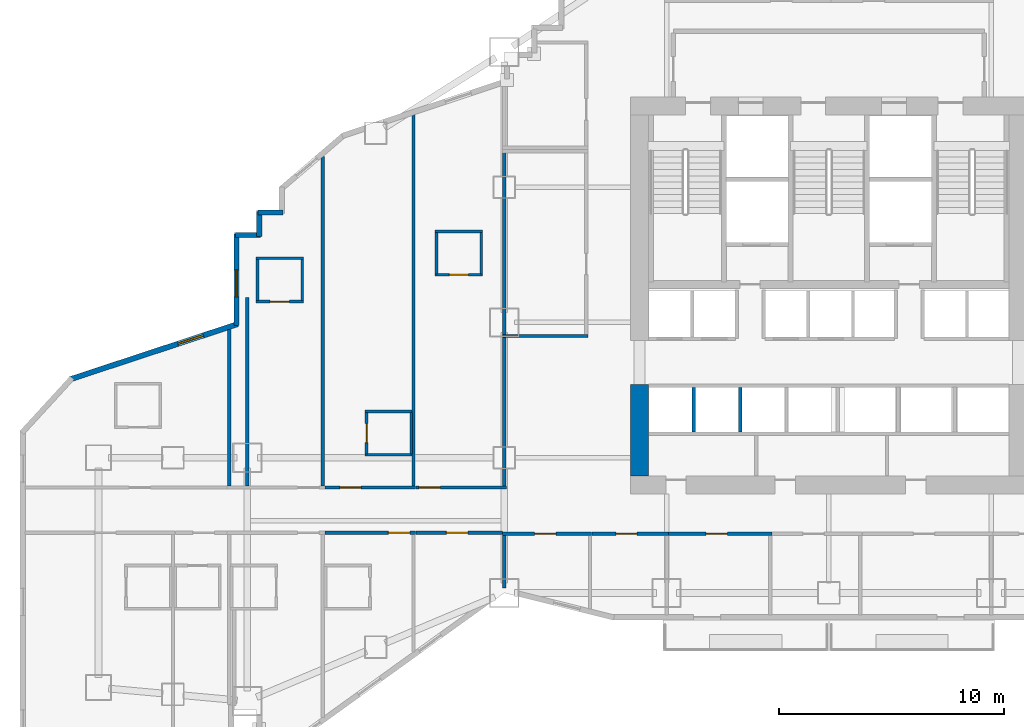
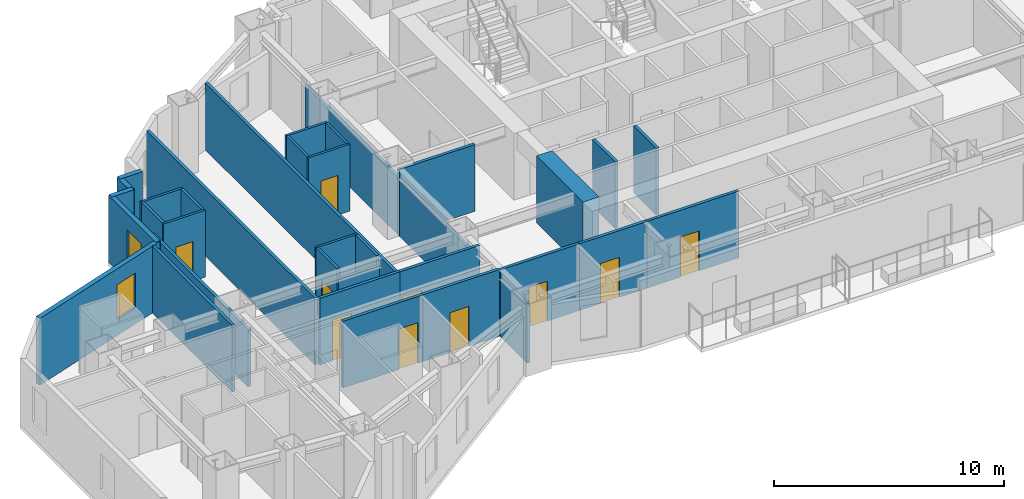
# One storey, part 8 of 19: 35 walls, 10 doors, 2 windows, 12 openings.
"""IFC4 building model written with IfcOpenShell, lengths in metres."""

from ifc_helpers import new_model, si_unit, direction, frame, frame_2d, origin, place, context, subcontext, project, spatial, rectangle, extrude, material, layer, layer_set, type_object, element, fill, save


model = new_model("IFC4")

# Units and contexts
model_context = context("Model", 3, precision=1e-05, world=origin(), true_north=direction((0.0, 1.0)))
body_context = subcontext(model_context, "Body", "Model", "MODEL_VIEW")
ifc_project = project(units=[si_unit("LENGTHUNIT", "METRE"), si_unit("AREAUNIT", "SQUARE_METRE"), si_unit("VOLUMEUNIT", "CUBIC_METRE"), si_unit("PLANEANGLEUNIT", "RADIAN"), si_unit("MASSUNIT", "GRAM", prefix="KILO")], contexts=[model_context])

# Site, building, storey
site_placement = place(None, origin())
site = spatial("IfcSite", under=ifc_project, at=site_placement, CompositionType="ELEMENT")
building_placement = place(site_placement, origin())
building = spatial("IfcBuilding", under=site, at=building_placement, Name="Haolan Belvedere Tower", CompositionType="ELEMENT")
storey_placement = place(building_placement, frame((0.0, 0.0, 39.199951171875)))
storey = spatial("IfcBuildingStorey", under=building, at=storey_placement, Name="L09", CompositionType="ELEMENT", Elevation=39.199951171875)

# Walls
ifc_material_1 = material(Name="Concrete C70/85", Category="concrete")
ifc_layer_1 = layer(ifc_material_1, 0.800048828125, Name="Concrete C70/85")
ifc_layer_set_1 = layer_set([ifc_layer_1], Name="Concrete C70/85")
wall_type_1 = type_object("IfcWallType", Name="WL-CORE-800", PredefinedType="SHEAR", material=ifc_layer_set_1)
wall_1_placement = place(storey_placement, frame((30.0, 26.800048828125, 0.0), z_axis=(0.0, 0.0, 1.0), x_axis=(0.0, 1.0, 0.0)))
element("IfcWall", 1, at=wall_1_placement, inside=storey, type_object=wall_type_1, Name="L09 central core shear wall WS", PredefinedType="SHEAR", context=body_context, shape_type="SweptSolid", body=[
    extrude(rectangle(XDim=4.050048828125, YDim=0.800048828125, at=frame_2d((2.02490234375, 0.0))), origin(), (0.0, 0.0, 1.0), 3.5400390625),
])
ifc_material_2 = material(Name="Precast concrete C40/50", Category="concrete")
ifc_layer_2 = layer(ifc_material_2, 0.239990234375, Name="Precast concrete C40/50")
ifc_layer_set_2 = layer_set([ifc_layer_2], Name="Precast concrete C40/50")
wall_type_2 = type_object("IfcWallType", Name="WL-EXT-240", PredefinedType="SOLIDWALL", material=ifc_layer_set_2)
wall_2_placement = place(storey_placement, frame((14.175048828125, 38.47998046875, 0.0), z_axis=(0.0, 0.0, 1.0), x_axis=(-1.0, 0.0, 0.0)))
element("IfcWall", 2, at=wall_2_placement, inside=storey, type_object=wall_type_2, Name="L09 pale-metal exterior spandrel wall 53.1", PredefinedType="SOLIDWALL", context=body_context, shape_type="SweptSolid", body=[
    extrude(rectangle(XDim=1.110107421875, YDim=0.239990234375, at=frame_2d((0.55517578125, 0.0))), origin(), (0.0, 0.0, 1.0), 3.5400390625),
])
wall_3_placement = place(storey_placement, frame((13.1201171875, 38.534912109375, 0.0), z_axis=(0.0, 0.0, 1.0), x_axis=(0.0, -1.0, 0.0)))
element("IfcWall", 3, at=wall_3_placement, inside=storey, type_object=wall_type_2, Name="L09 pale-metal exterior spandrel wall 54.1", PredefinedType="SOLIDWALL", context=body_context, shape_type="SweptSolid", body=[
    extrude(rectangle(XDim=1.10986328125, YDim=0.239990234375, at=frame_2d((0.554931640625, 0.0))), origin(), (0.0, 0.0, 1.0), 3.5400390625),
])
wall_4_placement = place(storey_placement, frame((13.175048828125, 37.47998046875, 0.0), z_axis=(0.0, 0.0, 1.0), x_axis=(-1.0, 0.0, 0.0)))
element("IfcWall", 4, at=wall_4_placement, inside=storey, type_object=wall_type_2, Name="L09 pale-metal exterior spandrel wall 55.1", PredefinedType="SOLIDWALL", context=body_context, shape_type="SweptSolid", body=[
    extrude(rectangle(XDim=1.110107421875, YDim=0.239990234375, at=frame_2d((0.55517578125, 0.0))), origin(), (0.0, 0.0, 1.0), 3.5400390625),
])

# Wall, opening, window
wall_5_placement = place(storey_placement, frame((12.1201171875, 37.534912109375, 0.0), z_axis=(0.0, 0.0, 1.0), x_axis=(0.0, -1.0, 0.0)))
wall_5 = element("IfcWall", 5, at=wall_5_placement, inside=storey, type_object=wall_type_2, Name="L09 pale-metal exterior spandrel wall 56.1", PredefinedType="SOLIDWALL", context=body_context, shape_type="SweptSolid", body=[
    extrude(rectangle(XDim=4.07666015625, YDim=0.239990234375, at=frame_2d((2.038330078125, 0.0))), origin(), (0.0, 0.0, 1.0), 3.5400390625),
])
opening_1_placement = place(wall_5_placement, frame((1.60009765625, 0.0, 0.85009765625)))
opening_1 = element("IfcOpeningElement", 6, at=opening_1_placement, cuts=wall_5, Name="Opening W-01", PredefinedType="OPENING", context=body_context, shape_type="SweptSolid", body=[
    extrude(rectangle(XDim=1.199951171875, YDim=1.85009765625, at=frame_2d((0.60009765625, 0.925048828125))), frame((0.0, 0.1298828125, 0.0), z_axis=(0.0, -1.0, 0.0), x_axis=(1.0, 0.0, 0.0)), (0.0, 0.0, 1.0), 0.260009765625),
])
ifc_material_3 = material(Name="Anodised aluminium 6063-T6 and Low-E glass", Category="aluminium")
window_type = type_object("IfcWindowType", Name="WN-DECO-Z1", PartitioningType="SINGLE_PANEL", PredefinedType="WINDOW", material=ifc_material_3)
window_1_placement = place(opening_1_placement, origin())
window_1 = element("IfcWindow", 7, at=window_1_placement, inside=storey, type_object=window_type, Name="L09 Art Deco chevron window 1", OverallHeight=1.85009765625, OverallWidth=1.199951171875, PartitioningType="SINGLE_PANEL", PredefinedType="WINDOW", context=body_context, shape_type="SweptSolid", body=[
    extrude(rectangle(XDim=1.199951171875, YDim=1.85009765625, at=frame_2d((0.60009765625, 0.925048828125))), frame((0.0, 0.030029296875, 0.0), z_axis=(0.0, -1.0, 0.0), x_axis=(1.0, 0.0, 0.0)), (0.0, 0.0, 1.0), 0.06005859375),
])
fill(opening_1, window_1)

wall_6_placement = place(storey_placement, frame((12.172119140625, 33.530517578125, 0.0), z_axis=(0.0, 0.0, 1.0), x_axis=(-0.949716382283, -0.313111470923, 0.0)))
wall_6 = element("IfcWall", 8, at=wall_6_placement, inside=storey, type_object=wall_type_2, Name="L09 pale-metal exterior spandrel wall 57.1", PredefinedType="SOLIDWALL", context=body_context, shape_type="SweptSolid", body=[
    extrude(rectangle(XDim=7.830810546875, YDim=0.239990234375, at=frame_2d((3.91552734375, 0.0))), origin(), (0.0, 0.0, 1.0), 3.5400390625),
])
opening_2_placement = place(wall_6_placement, frame((1.60009765625, 0.0, 0.85009765625)))
opening_2 = element("IfcOpeningElement", 9, at=opening_2_placement, cuts=wall_6, Name="Opening W-01", PredefinedType="OPENING", context=body_context, shape_type="SweptSolid", body=[
    extrude(rectangle(XDim=1.199951171875, YDim=1.85009765625, at=frame_2d((0.60009765625, 0.925048828125))), frame((0.0, 0.1298828125, 0.0), z_axis=(0.0, -1.0, 0.0), x_axis=(1.0, 0.0, 0.0)), (0.0, 0.0, 1.0), 0.260009765625),
])
window_2_placement = place(opening_2_placement, origin())
window_2 = element("IfcWindow", 10, at=window_2_placement, inside=storey, type_object=window_type, Name="L09 Art Deco chevron window 1", OverallHeight=1.85009765625, OverallWidth=1.199951171875, PartitioningType="SINGLE_PANEL", PredefinedType="WINDOW", context=body_context, shape_type="SweptSolid", body=[
    extrude(rectangle(XDim=1.199951171875, YDim=1.85009765625, at=frame_2d((0.60009765625, 0.925048828125))), frame((0.0, 0.030029296875, 0.0), z_axis=(0.0, -1.0, 0.0), x_axis=(1.0, 0.0, 0.0)), (0.0, 0.0, 1.0), 0.06005859375),
])
fill(opening_2, window_2)

# Walls
ifc_material_4 = material(Name="Double gypsum acoustic stud partition", Category="masonry")
ifc_layer_3 = layer(ifc_material_4, 0.14990234375, Name="Double gypsum acoustic stud partition")
ifc_layer_set_3 = layer_set([ifc_layer_3], Name="Double gypsum acoustic stud partition")
wall_type_3 = type_object("IfcWallType", Name="WL-PART-150", PredefinedType="PARTITIONING", material=ifc_layer_set_3)
wall_7_placement = place(storey_placement, frame((23.919921875, 33.0, 0.0), z_axis=(0.0, 0.0, 1.0), x_axis=(1.0, 0.0, 0.0)))
element("IfcWall", 11, at=wall_7_placement, inside=storey, type_object=wall_type_3, Name="L09 interior partition IW-L09-SAL-S", PredefinedType="PARTITIONING", context=body_context, shape_type="SweptSolid", body=[
    extrude(rectangle(XDim=3.800048828125, YDim=0.14990234375, at=frame_2d((1.89990234375, 0.0))), origin(), (0.0, 0.0, 1.0), 3.5400390625),
])
wall_8_placement = place(storey_placement, frame((24.0, 33.06005859375, 0.0), z_axis=(0.0, 0.0, 1.0), x_axis=(0.0, 1.0, 0.0)))
element("IfcWall", 12, at=wall_8_placement, inside=storey, type_object=wall_type_3, Name="L09 interior partition IW-L09-SAL-W", PredefinedType="PARTITIONING", context=body_context, shape_type="SweptSolid", body=[
    extrude(rectangle(XDim=8.079833984375, YDim=0.14990234375, at=frame_2d((4.0400390625, 0.0))), origin(), (0.0, 0.0, 1.0), 3.037109375),
])

# Wall, opening, door
wall_9_placement = place(storey_placement, frame((23.919921875, 24.219970703125, 0.0), z_axis=(0.0, 0.0, 1.0), x_axis=(1.0, 0.0, 0.0)))
wall_9 = element("IfcWall", 13, at=wall_9_placement, inside=storey, type_object=wall_type_3, Name="L09 interior partition IW-L09-KS1-N", PredefinedType="PARTITIONING", context=body_context, shape_type="SweptSolid", body=[
    extrude(rectangle(XDim=3.9599609375, YDim=0.14990234375, at=frame_2d((1.97998046875, 0.0))), origin(), (0.0, 0.0, 1.0), 3.5400390625),
])
opening_3_placement = place(wall_9_placement, frame((2.375, 0.0, 0.0), z_axis=(0.0, 0.0, 1.0), x_axis=(-1.0, 0.0, 0.0)))
opening_3 = element("IfcOpeningElement", 14, at=opening_3_placement, cuts=wall_9, Name="Opening ID-03", PredefinedType="OPENING", context=body_context, shape_type="SweptSolid", body=[
    extrude(rectangle(XDim=0.949951171875, YDim=2.1201171875, at=frame_2d((0.47509765625, 1.06005859375))), frame((0.0, 0.0849609375, 0.0), z_axis=(0.0, -1.0, 0.0), x_axis=(1.0, 0.0, 0.0)), (0.0, 0.0, 1.0), 0.169921875),
])
ifc_material_5 = material(Name="Painted solid-core timber", Category="wood")
door_type_1 = type_object("IfcDoorType", Name="DR-INT-950", OperationType="NOTDEFINED", PredefinedType="DOOR", material=ifc_material_5)
door_1_placement = place(opening_3_placement, origin())
door_1 = element("IfcDoor", 15, at=door_1_placement, inside=storey, type_object=door_type_1, Name="L09 door ID-L09-KS1", OperationType="SINGLE_SWING_LEFT", OverallHeight=2.1201171875, OverallWidth=0.949951171875, PredefinedType="DOOR", context=body_context, shape_type="SweptSolid", body=[
    extrude(rectangle(XDim=0.949951171875, YDim=2.1201171875, at=frame_2d((0.47509765625, 1.06005859375))), frame((0.0, 0.02490234375, 0.0), z_axis=(0.0, -1.0, 0.0), x_axis=(1.0, 0.0, 0.0)), (0.0, 0.0, 1.0), 0.050048828125),
])
fill(opening_3, door_1)

# Wall
wall_10_placement = place(storey_placement, frame((24.0, 21.818603515625, 0.0), z_axis=(0.0, 0.0, 1.0), x_axis=(0.0, 1.0, 0.0)))
element("IfcWall", 16, at=wall_10_placement, inside=storey, type_object=wall_type_3, Name="L09 interior partition IW-L09-KS1-W", PredefinedType="PARTITIONING", context=body_context, shape_type="SweptSolid", body=[
    extrude(rectangle(XDim=2.34130859375, YDim=0.14990234375, at=frame_2d((1.170654296875, 0.0))), origin(), (0.0, 0.0, 1.0), 3.037109375),
])

# Wall, opening, door
wall_11_placement = place(storey_placement, frame((27.882080078125, 24.219970703125, 0.0), z_axis=(0.0, 0.0, 1.0), x_axis=(1.0, 0.0, 0.0)))
wall_11 = element("IfcWall", 17, at=wall_11_placement, inside=storey, type_object=wall_type_3, Name="L09 interior partition IW-L09-KS2-N", PredefinedType="PARTITIONING", context=body_context, shape_type="SweptSolid", body=[
    extrude(rectangle(XDim=3.39794921875, YDim=0.14990234375, at=frame_2d((1.698974609375, 0.0))), origin(), (0.0, 0.0, 1.0), 3.5400390625),
])
opening_4_placement = place(wall_11_placement, frame((2.012939453125, 0.0, 0.0), z_axis=(0.0, 0.0, 1.0), x_axis=(-1.0, 0.0, 0.0)))
opening_4 = element("IfcOpeningElement", 18, at=opening_4_placement, cuts=wall_11, Name="Opening ID-03", PredefinedType="OPENING", context=body_context, shape_type="SweptSolid", body=[
    extrude(rectangle(XDim=0.949951171875, YDim=2.1201171875, at=frame_2d((0.47509765625, 1.06005859375))), frame((0.0, 0.0849609375, 0.0), z_axis=(0.0, -1.0, 0.0), x_axis=(1.0, 0.0, 0.0)), (0.0, 0.0, 1.0), 0.169921875),
])
door_2_placement = place(opening_4_placement, origin())
door_2 = element("IfcDoor", 19, at=door_2_placement, inside=storey, type_object=door_type_1, Name="L09 door ID-L09-KS2", OperationType="SINGLE_SWING_RIGHT", OverallHeight=2.1201171875, OverallWidth=0.949951171875, PredefinedType="DOOR", context=body_context, shape_type="SweptSolid", body=[
    extrude(rectangle(XDim=0.949951171875, YDim=2.1201171875, at=frame_2d((0.47509765625, 1.06005859375))), frame((0.0, 0.02490234375, 0.0), z_axis=(0.0, -1.0, 0.0), x_axis=(1.0, 0.0, 0.0)), (0.0, 0.0, 1.0), 0.050048828125),
])
fill(opening_4, door_2)

wall_12_placement = place(storey_placement, frame((31.281982421875, 24.219970703125, 0.0), z_axis=(0.0, 0.0, 1.0), x_axis=(1.0, 0.0, 0.0)))
wall_12 = element("IfcWall", 20, at=wall_12_placement, inside=storey, type_object=wall_type_3, Name="L09 interior partition IW-L09-KS3-N", PredefinedType="PARTITIONING", context=body_context, shape_type="SweptSolid", body=[
    extrude(rectangle(XDim=4.597900390625, YDim=0.14990234375, at=frame_2d((2.298828125, 0.0))), origin(), (0.0, 0.0, 1.0), 3.5400390625),
])
opening_5_placement = place(wall_12_placement, frame((2.613037109375, 0.0, 0.0), z_axis=(0.0, 0.0, 1.0), x_axis=(-1.0, 0.0, 0.0)))
opening_5 = element("IfcOpeningElement", 21, at=opening_5_placement, cuts=wall_12, Name="Opening ID-03", PredefinedType="OPENING", context=body_context, shape_type="SweptSolid", body=[
    extrude(rectangle(XDim=0.949951171875, YDim=2.1201171875, at=frame_2d((0.47509765625, 1.06005859375))), frame((0.0, 0.0849609375, 0.0), z_axis=(0.0, -1.0, 0.0), x_axis=(1.0, 0.0, 0.0)), (0.0, 0.0, 1.0), 0.169921875),
])
door_3_placement = place(opening_5_placement, origin())
door_3 = element("IfcDoor", 22, at=door_3_placement, inside=storey, type_object=door_type_1, Name="L09 door ID-L09-KS3", OperationType="SINGLE_SWING_LEFT", OverallHeight=2.1201171875, OverallWidth=0.949951171875, PredefinedType="DOOR", context=body_context, shape_type="SweptSolid", body=[
    extrude(rectangle(XDim=0.949951171875, YDim=2.1201171875, at=frame_2d((0.47509765625, 1.06005859375))), frame((0.0, 0.02490234375, 0.0), z_axis=(0.0, -1.0, 0.0), x_axis=(1.0, 0.0, 0.0)), (0.0, 0.0, 1.0), 0.050048828125),
])
fill(opening_5, door_3)

# Walls
wall_13_placement = place(storey_placement, frame((11.800048828125, 26.340087890625, 0.0), z_axis=(0.0, 0.0, 1.0), x_axis=(0.0, 1.0, 0.0)))
element("IfcWall", 23, at=wall_13_placement, inside=storey, type_object=wall_type_3, Name="L09 interior partition IW-L09-T2N1-W", PredefinedType="PARTITIONING", context=body_context, shape_type="SweptSolid", body=[
    extrude(rectangle(XDim=6.95703125, YDim=0.14990234375, at=frame_2d((3.478515625, 0.0))), origin(), (0.0, 0.0, 1.0), 3.5400390625),
])
wall_14_placement = place(storey_placement, frame((15.949951171875, 26.340087890625, 0.0), z_axis=(0.0, 0.0, 1.0), x_axis=(0.0, 1.0, 0.0)))
element("IfcWall", 24, at=wall_14_placement, inside=storey, type_object=wall_type_3, Name="L09 interior partition IW-L09-T2N1-E", PredefinedType="PARTITIONING", context=body_context, shape_type="SweptSolid", body=[
    extrude(rectangle(XDim=14.635009765625, YDim=0.14990234375, at=frame_2d((7.3173828125, 0.0))), origin(), (0.0, 0.0, 1.0), 3.5400390625),
])

# Wall, opening, door
wall_15_placement = place(storey_placement, frame((16.052001953125, 26.280029296875, 0.0), z_axis=(0.0, 0.0, 1.0), x_axis=(1.0, 0.0, 0.0)))
wall_15 = element("IfcWall", 25, at=wall_15_placement, inside=storey, type_object=wall_type_3, Name="L09 interior partition IW-L09-T2N2-S", PredefinedType="PARTITIONING", context=body_context, shape_type="SweptSolid", body=[
    extrude(rectangle(XDim=4.01806640625, YDim=0.14990234375, at=frame_2d((2.009033203125, 0.0))), origin(), (0.0, 0.0, 1.0), 3.5400390625),
])
opening_6_placement = place(wall_15_placement, frame((0.6494140625, 0.0, 0.0)))
opening_6 = element("IfcOpeningElement", 26, at=opening_6_placement, cuts=wall_15, Name="Opening ID-01", PredefinedType="OPENING", context=body_context, shape_type="SweptSolid", body=[
    extrude(rectangle(XDim=0.949951171875, YDim=2.179931640625, at=frame_2d((0.47509765625, 1.08984375))), frame((0.0, 0.0849609375, 0.0), z_axis=(0.0, -1.0, 0.0), x_axis=(1.0, 0.0, 0.0)), (0.0, 0.0, 1.0), 0.169921875),
])
ifc_material_6 = material(Name="Acoustic walnut veneer fire-rated timber", Category="wood")
door_type_2 = type_object("IfcDoorType", Name="DR-SUITE-950", OperationType="NOTDEFINED", PredefinedType="DOOR", material=ifc_material_6)
door_4_placement = place(opening_6_placement, origin())
door_4 = element("IfcDoor", 27, at=door_4_placement, inside=storey, type_object=door_type_2, Name="L09 door ID-L09-T2N2-ENT", OperationType="SINGLE_SWING_LEFT", OverallHeight=2.179931640625, OverallWidth=0.949951171875, PredefinedType="DOOR", context=body_context, shape_type="SweptSolid", body=[
    extrude(rectangle(XDim=0.949951171875, YDim=2.179931640625, at=frame_2d((0.47509765625, 1.08984375))), frame((0.0, 0.02490234375, 0.0), z_axis=(0.0, -1.0, 0.0), x_axis=(1.0, 0.0, 0.0)), (0.0, 0.0, 1.0), 0.050048828125),
])
fill(opening_6, door_4)

# Wall
wall_16_placement = place(storey_placement, frame((19.969970703125, 26.340087890625, 0.0), z_axis=(0.0, 0.0, 1.0), x_axis=(0.0, 1.0, 0.0)))
element("IfcWall", 28, at=wall_16_placement, inside=storey, type_object=wall_type_3, Name="L09 interior partition IW-L09-T2N2-E", PredefinedType="PARTITIONING", context=body_context, shape_type="SweptSolid", body=[
    extrude(rectangle(XDim=16.4794921875, YDim=0.14990234375, at=frame_2d((8.23974609375, 0.0))), origin(), (0.0, 0.0, 1.0), 3.5400390625),
])

# Wall, opening, door
wall_17_placement = place(storey_placement, frame((20.072021484375, 26.280029296875, 0.0), z_axis=(0.0, 0.0, 1.0), x_axis=(1.0, 0.0, 0.0)))
wall_17 = element("IfcWall", 29, at=wall_17_placement, inside=storey, type_object=wall_type_3, Name="L09 interior partition IW-L09-T2N3-S", PredefinedType="PARTITIONING", context=body_context, shape_type="SweptSolid", body=[
    extrude(rectangle(XDim=4.028076171875, YDim=0.14990234375, at=frame_2d((2.01416015625, 0.0))), origin(), (0.0, 0.0, 1.0), 3.5400390625),
])
opening_7_placement = place(wall_17_placement, frame((0.139892578125, 0.0, 0.0)))
opening_7 = element("IfcOpeningElement", 30, at=opening_7_placement, cuts=wall_17, Name="Opening ID-01", PredefinedType="OPENING", context=body_context, shape_type="SweptSolid", body=[
    extrude(rectangle(XDim=0.949951171875, YDim=2.179931640625, at=frame_2d((0.47509765625, 1.08984375))), frame((0.0, 0.0849609375, 0.0), z_axis=(0.0, -1.0, 0.0), x_axis=(1.0, 0.0, 0.0)), (0.0, 0.0, 1.0), 0.169921875),
])
door_5_placement = place(opening_7_placement, origin())
door_5 = element("IfcDoor", 31, at=door_5_placement, inside=storey, type_object=door_type_2, Name="L09 door ID-L09-T2N3-ENT", OperationType="SINGLE_SWING_RIGHT", OverallHeight=2.179931640625, OverallWidth=0.949951171875, PredefinedType="DOOR", context=body_context, shape_type="SweptSolid", body=[
    extrude(rectangle(XDim=0.949951171875, YDim=2.179931640625, at=frame_2d((0.47509765625, 1.08984375))), frame((0.0, 0.02490234375, 0.0), z_axis=(0.0, -1.0, 0.0), x_axis=(1.0, 0.0, 0.0)), (0.0, 0.0, 1.0), 0.050048828125),
])
fill(opening_7, door_5)

# Wall
wall_18_placement = place(storey_placement, frame((24.0, 26.340087890625, 0.0), z_axis=(0.0, 0.0, 1.0), x_axis=(0.0, 1.0, 0.0)))
element("IfcWall", 32, at=wall_18_placement, inside=storey, type_object=wall_type_3, Name="L09 interior partition IW-L09-T2N3-E", PredefinedType="PARTITIONING", context=body_context, shape_type="SweptSolid", body=[
    extrude(rectangle(XDim=6.599853515625, YDim=0.14990234375, at=frame_2d((3.2998046875, 0.0))), origin(), (0.0, 0.0, 1.0), 3.037109375),
])

# Wall, opening, door
wall_19_placement = place(storey_placement, frame((16.052001953125, 24.27001953125, 0.0), z_axis=(0.0, 0.0, 1.0), x_axis=(1.0, 0.0, 0.0)))
wall_19 = element("IfcWall", 33, at=wall_19_placement, inside=storey, type_object=wall_type_3, Name="L09 interior partition IW-L09-T2S2-N", PredefinedType="PARTITIONING", context=body_context, shape_type="SweptSolid", body=[
    extrude(rectangle(XDim=4.01806640625, YDim=0.14990234375, at=frame_2d((2.009033203125, 0.0))), origin(), (0.0, 0.0, 1.0), 3.5400390625),
])
opening_8_placement = place(wall_19_placement, frame((3.759765625, 0.0, 0.0), z_axis=(0.0, 0.0, 1.0), x_axis=(-1.0, 0.0, 0.0)))
opening_8 = element("IfcOpeningElement", 34, at=opening_8_placement, cuts=wall_19, Name="Opening ID-02", PredefinedType="OPENING", context=body_context, shape_type="SweptSolid", body=[
    extrude(rectangle(XDim=0.949951171875, YDim=2.14990234375, at=frame_2d((0.47509765625, 1.074951171875))), frame((0.0, 0.0849609375, 0.0), z_axis=(0.0, -1.0, 0.0), x_axis=(1.0, 0.0, 0.0)), (0.0, 0.0, 1.0), 0.169921875),
])
ifc_material_7 = material(Name="Acoustic oak veneer fire-rated timber", Category="wood")
door_type_3 = type_object("IfcDoorType", Name="DR-GUEST-950", OperationType="NOTDEFINED", PredefinedType="DOOR", material=ifc_material_7)
door_6_placement = place(opening_8_placement, origin())
door_6 = element("IfcDoor", 35, at=door_6_placement, inside=storey, type_object=door_type_3, Name="L09 door ID-L09-T2S2-ENT", OperationType="SINGLE_SWING_RIGHT", OverallHeight=2.14990234375, OverallWidth=0.949951171875, PredefinedType="DOOR", context=body_context, shape_type="SweptSolid", body=[
    extrude(rectangle(XDim=0.949951171875, YDim=2.14990234375, at=frame_2d((0.47509765625, 1.074951171875))), frame((0.0, 0.02490234375, 0.0), z_axis=(0.0, -1.0, 0.0), x_axis=(1.0, 0.0, 0.0)), (0.0, 0.0, 1.0), 0.050048828125),
])
fill(opening_8, door_6)

wall_20_placement = place(storey_placement, frame((20.072021484375, 24.27001953125, 0.0), z_axis=(0.0, 0.0, 1.0), x_axis=(1.0, 0.0, 0.0)))
wall_20 = element("IfcWall", 36, at=wall_20_placement, inside=storey, type_object=wall_type_3, Name="L09 interior partition IW-L09-T2S3-N", PredefinedType="PARTITIONING", context=body_context, shape_type="SweptSolid", body=[
    extrude(rectangle(XDim=3.845947265625, YDim=0.14990234375, at=frame_2d((1.9228515625, 0.0))), origin(), (0.0, 0.0, 1.0), 3.5400390625),
])
opening_9_placement = place(wall_20_placement, frame((2.307861328125, 0.0, 0.0), z_axis=(0.0, 0.0, 1.0), x_axis=(-1.0, 0.0, 0.0)))
opening_9 = element("IfcOpeningElement", 37, at=opening_9_placement, cuts=wall_20, Name="Opening ID-03", PredefinedType="OPENING", context=body_context, shape_type="SweptSolid", body=[
    extrude(rectangle(XDim=0.949951171875, YDim=2.1201171875, at=frame_2d((0.47509765625, 1.06005859375))), frame((0.0, 0.0849609375, 0.0), z_axis=(0.0, -1.0, 0.0), x_axis=(1.0, 0.0, 0.0)), (0.0, 0.0, 1.0), 0.169921875),
])
door_7_placement = place(opening_9_placement, origin())
door_7 = element("IfcDoor", 38, at=door_7_placement, inside=storey, type_object=door_type_1, Name="L09 door ID-L09-T2S3", OperationType="SINGLE_SWING_LEFT", OverallHeight=2.1201171875, OverallWidth=0.949951171875, PredefinedType="DOOR", context=body_context, shape_type="SweptSolid", body=[
    extrude(rectangle(XDim=0.949951171875, YDim=2.1201171875, at=frame_2d((0.47509765625, 1.06005859375))), frame((0.0, 0.02490234375, 0.0), z_axis=(0.0, -1.0, 0.0), x_axis=(1.0, 0.0, 0.0)), (0.0, 0.0, 1.0), 0.050048828125),
])
fill(opening_9, door_7)

# Walls
wall_21_placement = place(storey_placement, frame((12.60009765625, 26.340087890625, 0.0), z_axis=(0.0, 0.0, 1.0), x_axis=(0.0, 1.0, 0.0)))
element("IfcWall", 39, at=wall_21_placement, inside=storey, type_object=wall_type_3, Name="L09 interior partition IW-L09-T1N1-E", PredefinedType="PARTITIONING", context=body_context, shape_type="SweptSolid", body=[
    extrude(rectangle(XDim=8.35986328125, YDim=0.14990234375, at=frame_2d((4.179931640625, 0.0))), origin(), (0.0, 0.0, 1.0), 3.037109375),
])
ifc_material_8 = material(Name="Gypsum fire shaftwall assembly", Category="masonry")
ifc_layer_4 = layer(ifc_material_8, 0.1650390625, Name="Gypsum fire shaftwall assembly")
ifc_layer_set_4 = layer_set([ifc_layer_4], Name="Gypsum fire shaftwall assembly")
wall_type_4 = type_object("IfcWallType", Name="WL-SHAFT-160", PredefinedType="SOLIDWALL", material=ifc_layer_set_4)
for number, where, z_axis, x_axis, name in (
    (40, (32.39990234375, 28.735107421875, 0.0), (0.0, 0.0, 1.0), (0.0, 1.0, 0.0), "L09 interior partition IW-L09-DIV-PM1"),
    (41, (34.4599609375, 28.735107421875, 0.0), (0.0, 0.0, 1.0), (0.0, 1.0, 0.0), "L09 interior partition IW-L09-DIV-PM2"),
):
    element("IfcWall", number, at=place(storey_placement, frame(where, z_axis=z_axis, x_axis=x_axis)), inside=storey, type_object=wall_type_4, Name=name, PredefinedType="SOLIDWALL", context=body_context, shape_type="SweptSolid", body=[
        extrude(rectangle(XDim=1.98486328125, YDim=0.14990234375, at=frame_2d((0.992431640625, 0.0))), origin(), (0.0, 0.0, 1.0), 3.5400390625),
    ])
ifc_material_9 = material(Name="Moisture-resistant gypsum tile partition", Category="masonry")
ifc_layer_5 = layer(ifc_material_9, 0.1201171875, Name="Moisture-resistant gypsum tile partition")
ifc_layer_set_5 = layer_set([ifc_layer_5], Name="Moisture-resistant gypsum tile partition")
wall_type_5 = type_object("IfcWallType", Name="WL-WET-120", PredefinedType="PARTITIONING", material=ifc_layer_set_5)
wall_22_placement = place(storey_placement, frame((12.989990234375, 36.447998046875, 0.0), z_axis=(0.0, 0.0, 1.0), x_axis=(1.0, 0.0, 0.0)))
element("IfcWall", 42, at=wall_22_placement, inside=storey, type_object=wall_type_5, Name="L09 interior partition IW-L09-T2N1-BN", PredefinedType="PARTITIONING", context=body_context, shape_type="SweptSolid", body=[
    extrude(rectangle(XDim=2.10009765625, YDim=0.1201171875, at=frame_2d((1.050048828125, 0.0))), origin(), (0.0, 0.0, 1.0), 3.5400390625),
])

# Wall, opening, door
wall_23_placement = place(storey_placement, frame((12.989990234375, 34.528076171875, 0.0), z_axis=(0.0, 0.0, 1.0), x_axis=(1.0, 0.0, 0.0)))
wall_23 = element("IfcWall", 43, at=wall_23_placement, inside=storey, type_object=wall_type_5, Name="L09 interior partition IW-L09-T2N1-BS", PredefinedType="PARTITIONING", context=body_context, shape_type="SweptSolid", body=[
    extrude(rectangle(XDim=2.10009765625, YDim=0.1201171875, at=frame_2d((1.050048828125, 0.0))), origin(), (0.0, 0.0, 1.0), 3.5400390625),
])
opening_10_placement = place(wall_23_placement, frame((0.625, 0.0, 0.0)))
opening_10 = element("IfcOpeningElement", 44, at=opening_10_placement, cuts=wall_23, Name="Opening ID-05", PredefinedType="OPENING", context=body_context, shape_type="SweptSolid", body=[
    extrude(rectangle(XDim=0.85009765625, YDim=2.10009765625, at=frame_2d((0.425048828125, 1.050048828125))), frame((0.0, 0.070068359375, 0.0), z_axis=(0.0, -1.0, 0.0), x_axis=(1.0, 0.0, 0.0)), (0.0, 0.0, 1.0), 0.14013671875),
])
ifc_material_10 = material(Name="Moisture-resistant lacquered timber", Category="wood")
door_type_4 = type_object("IfcDoorType", Name="DR-BATH-850", OperationType="NOTDEFINED", PredefinedType="DOOR", material=ifc_material_10)
door_8_placement = place(opening_10_placement, origin())
door_8 = element("IfcDoor", 45, at=door_8_placement, inside=storey, type_object=door_type_4, Name="L09 door ID-L09-T2N1-BATH", OperationType="SINGLE_SWING_LEFT", OverallHeight=2.10009765625, OverallWidth=0.85009765625, PredefinedType="DOOR", context=body_context, shape_type="SweptSolid", body=[
    extrude(rectangle(XDim=0.85009765625, YDim=2.10009765625, at=frame_2d((0.425048828125, 1.050048828125))), frame((0.0, 0.02490234375, 0.0), z_axis=(0.0, -1.0, 0.0), x_axis=(1.0, 0.0, 0.0)), (0.0, 0.0, 1.0), 0.050048828125),
])
fill(opening_10, door_8)

# Walls
for number, where, z_axis, x_axis, name in (
    (46, (13.050048828125, 34.572998046875, 0.0), (0.0, 0.0, 1.0), (0.0, 1.0, 0.0), "L09 interior partition IW-L09-T2N1-BW"),
    (47, (15.030029296875, 34.572998046875, 0.0), (0.0, 0.0, 1.0), (0.0, 1.0, 0.0), "L09 interior partition IW-L09-T2N1-BE"),
):
    element("IfcWall", number, at=place(storey_placement, frame(where, z_axis=z_axis, x_axis=x_axis)), inside=storey, type_object=wall_type_5, Name=name, PredefinedType="PARTITIONING", context=body_context, shape_type="SweptSolid", body=[
        extrude(rectangle(XDim=1.830078125, YDim=0.1201171875, at=frame_2d((0.9150390625, 0.0))), origin(), (0.0, 0.0, 1.0), 3.5400390625),
    ])
wall_24_placement = place(storey_placement, frame((17.830078125, 29.64990234375, 0.0), z_axis=(0.0, 0.0, 1.0), x_axis=(1.0, 0.0, 0.0)))
element("IfcWall", 48, at=wall_24_placement, inside=storey, type_object=wall_type_5, Name="L09 interior partition IW-L09-T2N2-BN", PredefinedType="PARTITIONING", context=body_context, shape_type="SweptSolid", body=[
    extrude(rectangle(XDim=2.079833984375, YDim=0.1201171875, at=frame_2d((1.0400390625, 0.0))), origin(), (0.0, 0.0, 1.0), 3.5400390625),
])
wall_25_placement = place(storey_placement, frame((17.830078125, 27.72998046875, 0.0), z_axis=(0.0, 0.0, 1.0), x_axis=(1.0, 0.0, 0.0)))
element("IfcWall", 49, at=wall_25_placement, inside=storey, type_object=wall_type_5, Name="L09 interior partition IW-L09-T2N2-BS", PredefinedType="PARTITIONING", context=body_context, shape_type="SweptSolid", body=[
    extrude(rectangle(XDim=2.079833984375, YDim=0.1201171875, at=frame_2d((1.0400390625, 0.0))), origin(), (0.0, 0.0, 1.0), 3.037109375),
])

# Wall, opening, door
wall_26_placement = place(storey_placement, frame((17.889892578125, 27.77490234375, 0.0), z_axis=(0.0, 0.0, 1.0), x_axis=(0.0, 1.0, 0.0)))
wall_26 = element("IfcWall", 50, at=wall_26_placement, inside=storey, type_object=wall_type_5, Name="L09 interior partition IW-L09-T2N2-BW", PredefinedType="PARTITIONING", context=body_context, shape_type="SweptSolid", body=[
    extrude(rectangle(XDim=1.830078125, YDim=0.1201171875, at=frame_2d((0.9150390625, 0.0))), origin(), (0.0, 0.0, 1.0), 3.5400390625),
])
opening_11_placement = place(wall_26_placement, frame((1.340087890625, 0.0, 0.0), z_axis=(0.0, 0.0, 1.0), x_axis=(-1.0, 0.0, 0.0)))
opening_11 = element("IfcOpeningElement", 51, at=opening_11_placement, cuts=wall_26, Name="Opening ID-05", PredefinedType="OPENING", context=body_context, shape_type="SweptSolid", body=[
    extrude(rectangle(XDim=0.85009765625, YDim=2.10009765625, at=frame_2d((0.425048828125, 1.050048828125))), frame((0.0, 0.070068359375, 0.0), z_axis=(0.0, -1.0, 0.0), x_axis=(1.0, 0.0, 0.0)), (0.0, 0.0, 1.0), 0.14013671875),
])
door_9_placement = place(opening_11_placement, origin())
door_9 = element("IfcDoor", 52, at=door_9_placement, inside=storey, type_object=door_type_4, Name="L09 door ID-L09-T2N2-BATH", OperationType="SINGLE_SWING_RIGHT", OverallHeight=2.10009765625, OverallWidth=0.85009765625, PredefinedType="DOOR", context=body_context, shape_type="SweptSolid", body=[
    extrude(rectangle(XDim=0.85009765625, YDim=2.10009765625, at=frame_2d((0.425048828125, 1.050048828125))), frame((0.0, 0.02490234375, 0.0), z_axis=(0.0, -1.0, 0.0), x_axis=(1.0, 0.0, 0.0)), (0.0, 0.0, 1.0), 0.050048828125),
])
fill(opening_11, door_9)

# Walls
wall_27_placement = place(storey_placement, frame((19.8701171875, 27.77490234375, 0.0), z_axis=(0.0, 0.0, 1.0), x_axis=(0.0, 1.0, 0.0)))
element("IfcWall", 53, at=wall_27_placement, inside=storey, type_object=wall_type_5, Name="L09 interior partition IW-L09-T2N2-BE", PredefinedType="PARTITIONING", context=body_context, shape_type="SweptSolid", body=[
    extrude(rectangle(XDim=1.830078125, YDim=0.1201171875, at=frame_2d((0.9150390625, 0.0))), origin(), (0.0, 0.0, 1.0), 3.5400390625),
])
wall_28_placement = place(storey_placement, frame((20.93505859375, 37.635009765625, 0.0), z_axis=(0.0, 0.0, 1.0), x_axis=(1.0, 0.0, 0.0)))
element("IfcWall", 54, at=wall_28_placement, inside=storey, type_object=wall_type_5, Name="L09 interior partition IW-L09-T2N3-BN", PredefinedType="PARTITIONING", context=body_context, shape_type="SweptSolid", body=[
    extrude(rectangle(XDim=2.099853515625, YDim=0.1201171875, at=frame_2d((1.0498046875, 0.0))), origin(), (0.0, 0.0, 1.0), 3.5400390625),
])

# Wall, opening, door
wall_29_placement = place(storey_placement, frame((20.93505859375, 35.715087890625, 0.0), z_axis=(0.0, 0.0, 1.0), x_axis=(1.0, 0.0, 0.0)))
wall_29 = element("IfcWall", 55, at=wall_29_placement, inside=storey, type_object=wall_type_5, Name="L09 interior partition IW-L09-T2N3-BS", PredefinedType="PARTITIONING", context=body_context, shape_type="SweptSolid", body=[
    extrude(rectangle(XDim=2.099853515625, YDim=0.1201171875, at=frame_2d((1.0498046875, 0.0))), origin(), (0.0, 0.0, 1.0), 3.5400390625),
])
opening_12_placement = place(wall_29_placement, frame((0.625, 0.0, 0.0)))
opening_12 = element("IfcOpeningElement", 56, at=opening_12_placement, cuts=wall_29, Name="Opening ID-05", PredefinedType="OPENING", context=body_context, shape_type="SweptSolid", body=[
    extrude(rectangle(XDim=0.85009765625, YDim=2.10009765625, at=frame_2d((0.425048828125, 1.050048828125))), frame((0.0, 0.070068359375, 0.0), z_axis=(0.0, -1.0, 0.0), x_axis=(1.0, 0.0, 0.0)), (0.0, 0.0, 1.0), 0.14013671875),
])
door_10_placement = place(opening_12_placement, origin())
door_10 = element("IfcDoor", 57, at=door_10_placement, inside=storey, type_object=door_type_4, Name="L09 door ID-L09-T2N3-BATH", OperationType="SINGLE_SWING_LEFT", OverallHeight=2.10009765625, OverallWidth=0.85009765625, PredefinedType="DOOR", context=body_context, shape_type="SweptSolid", body=[
    extrude(rectangle(XDim=0.85009765625, YDim=2.10009765625, at=frame_2d((0.425048828125, 1.050048828125))), frame((0.0, 0.02490234375, 0.0), z_axis=(0.0, -1.0, 0.0), x_axis=(1.0, 0.0, 0.0)), (0.0, 0.0, 1.0), 0.050048828125),
])
fill(opening_12, door_10)

# Walls
for number, where, z_axis, x_axis, name in (
    (58, (20.9951171875, 35.760009765625, 0.0), (0.0, 0.0, 1.0), (0.0, 1.0, 0.0), "L09 interior partition IW-L09-T2N3-BW"),
    (59, (22.97509765625, 35.760009765625, 0.0), (0.0, 0.0, 1.0), (0.0, 1.0, 0.0), "L09 interior partition IW-L09-T2N3-BE"),
):
    element("IfcWall", number, at=place(storey_placement, frame(where, z_axis=z_axis, x_axis=x_axis)), inside=storey, type_object=wall_type_5, Name=name, PredefinedType="PARTITIONING", context=body_context, shape_type="SweptSolid", body=[
        extrude(rectangle(XDim=1.830078125, YDim=0.1201171875, at=frame_2d((0.9150390625, 0.0))), origin(), (0.0, 0.0, 1.0), 3.5400390625),
    ])

save(model, "model.ifc")
